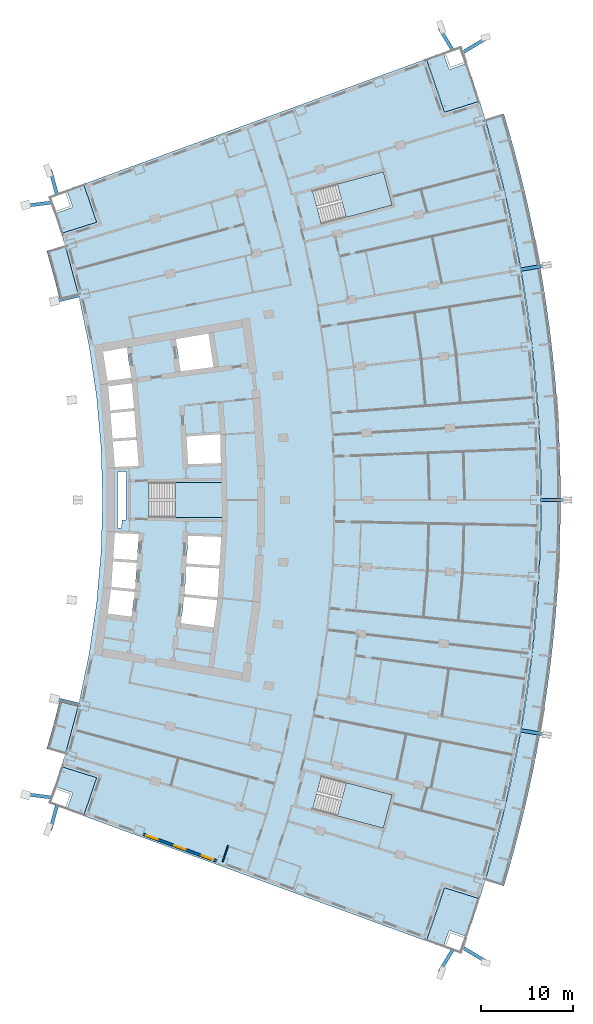
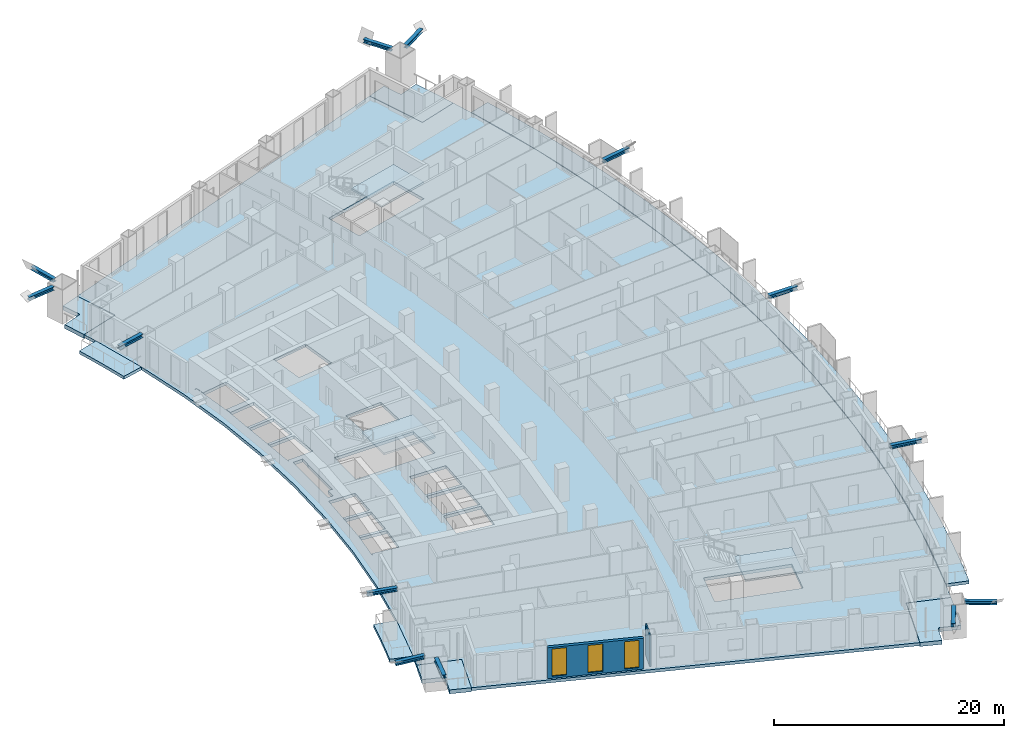
# One storey, part 9 of 22: 13 members, 11 slabs, 3 windows, 2 walls, 3 openings, 3 elements without a shape of their own.
"""IFC4 building model written with IfcOpenShell, lengths in metres."""

import ifcopenshell
import ifcopenshell.guid

model = None  # the IFC model being written
_history = None  # IfcOwnerHistory: only IFC2X3 demands one
_inside = {}  # id of a spatial element -> (the spatial element, [elements in it])
_under = {}  # id of a project, library or spatial element -> (it, [spatial elements below it])
_declared = {}  # id of a project -> (the project, [libraries it declares])
_typed = {}  # id of a type object -> (the type object, [elements of that type])
_made_of = {}  # id of a material, layer set ... -> (it, [elements and type objects made of it])


def new_model(schema):
    """Start an empty IFC model of exactly this schema.

    Asked for "IFC4X3", IfcOpenShell would pick the latest addendum, in which some entities
    have other attributes; the version numbers below select the first issue.
    IFC2X3 requires an IfcOwnerHistory on every rooted entity: one is made here for all.
    """
    global model, _history
    if schema == "IFC4X3":
        model = ifcopenshell.file(schema_version=(4, 3, 0, 0))
    else:
        model = ifcopenshell.file(schema=schema)
    _inside.clear()
    _under.clear()
    _declared.clear()
    _typed.clear()
    _made_of.clear()
    _history = None
    if model.schema == "IFC2X3":
        org = make("IfcOrganization", Name="unknown")
        user = make(
            "IfcPersonAndOrganization",
            ThePerson=make("IfcPerson", FamilyName="unknown"),
            TheOrganization=org,
        )
        app = make(
            "IfcApplication",
            ApplicationDeveloper=org,
            Version="unknown",
            ApplicationFullName="unknown",
            ApplicationIdentifier="unknown",
        )
        _history = make(
            "IfcOwnerHistory",
            OwningUser=user,
            OwningApplication=app,
            ChangeAction="ADDED",
            CreationDate=0,
        )
    return model


def make(cls, **values):
    """One entity of the class cls with the attributes given. An attribute that is None is left unset."""
    return model.create_entity(
        cls, **{name: value for name, value in values.items() if value is not None}
    )


def rooted(cls, **values):
    """An entity with a GlobalId (a new one), such as an element, a storey or a relation."""
    return make(cls, GlobalId=ifcopenshell.guid.new(), OwnerHistory=_history, **values)


def si_unit(unit_type, name, prefix=None):
    """IfcSIUnit, for example si_unit("LENGTHUNIT", "METRE", prefix="MILLI")."""
    return make("IfcSIUnit", UnitType=unit_type, Prefix=prefix, Name=name)


def assignment(units):
    """IfcUnitAssignment: the units of a project."""
    return None if units is None else make("IfcUnitAssignment", Units=units)


def point(xyz):
    """IfcCartesianPoint."""
    return None if xyz is None else make("IfcCartesianPoint", Coordinates=xyz)


def direction(xyz):
    """IfcDirection."""
    return None if xyz is None else make("IfcDirection", DirectionRatios=xyz)


def frame(location, z_axis=None, x_axis=None):
    """IfcAxis2Placement3D, a coordinate frame: its origin and axes. An axis left out is left unset."""
    return make(
        "IfcAxis2Placement3D",
        Location=point(location),
        Axis=direction(z_axis),
        RefDirection=direction(x_axis),
    )


def frame_2d(location, x_axis=None):
    """IfcAxis2Placement2D, a coordinate frame in the plane: its origin and x axis."""
    return make(
        "IfcAxis2Placement2D", Location=point(location), RefDirection=direction(x_axis)
    )


def origin():
    """The frame at (0, 0, 0) with its axes left unset."""
    return frame((0.0, 0.0, 0.0))


def origin_2d():
    """The frame at (0, 0) in the plane with its x axis left unset."""
    return frame_2d((0.0, 0.0))


def place(relative_to, where):
    """IfcLocalPlacement: puts the frame where relative to a parent placement (None: the world)."""
    return make(
        "IfcLocalPlacement", PlacementRelTo=relative_to, RelativePlacement=where
    )


def context(
    kind, dimensions, precision=None, world=None, true_north=None, identifier=None
):
    """IfcGeometricRepresentationContext, for example the 3D "Model" context."""
    return make(
        "IfcGeometricRepresentationContext",
        ContextIdentifier=identifier,
        ContextType=kind,
        CoordinateSpaceDimension=dimensions,
        Precision=precision,
        WorldCoordinateSystem=world,
        TrueNorth=true_north,
    )


def subcontext(parent, identifier, kind, view, scale=None):
    """IfcGeometricRepresentationSubContext, for example "Body" below "Model"."""
    return make(
        "IfcGeometricRepresentationSubContext",
        ContextIdentifier=identifier,
        ContextType=kind,
        ParentContext=parent,
        TargetScale=scale,
        TargetView=view,
    )


def project(units=None, contexts=None):
    """IfcProject with its units and contexts."""
    return rooted(
        "IfcProject",
        Name="project",
        RepresentationContexts=contexts,
        UnitsInContext=assignment(units),
    )


def spatial(cls, under=None, at=None, **own):
    """A site, building, storey or space (cls), placed at a placement, below another one or the project."""
    s = rooted(cls, ObjectPlacement=at, **own)
    if under is not None:
        _under.setdefault(under.id(), (under, []))[1].append(s)
    return s


def polyline(points):
    """IfcPolyline through the points."""
    return make("IfcPolyline", Points=[point(p) for p in points])


def profile(cls, at=None, kind="AREA", **sizes):
    """A parametric profile (cls). Its sizes go by their IFC names, for example OverallWidth=200.0."""
    return make(cls, ProfileType=kind, Position=at, **sizes)


def rectangle(**sizes):
    """IfcRectangleProfileDef."""
    return profile("IfcRectangleProfileDef", **sizes)


def i_section(**sizes):
    """IfcIShapeProfileDef."""
    return profile("IfcIShapeProfileDef", **sizes)


def outline(outer, holes=None, kind="AREA"):
    """IfcArbitraryClosedProfileDef: a profile drawn as a closed curve; with holes, ...WithVoids."""
    if holes is None:
        return make("IfcArbitraryClosedProfileDef", ProfileType=kind, OuterCurve=outer)
    return make(
        "IfcArbitraryProfileDefWithVoids",
        ProfileType=kind,
        OuterCurve=outer,
        InnerCurves=holes,
    )


def extrude(swept, where, along, depth):
    """IfcExtrudedAreaSolid: the profile swept, set in the frame where, extruded along a direction by depth."""
    return make(
        "IfcExtrudedAreaSolid",
        SweptArea=swept,
        Position=where,
        ExtrudedDirection=direction(along),
        Depth=depth,
    )


def shape(context_of_items, identifier, shape_type, items):
    """IfcShapeRepresentation: the items that make up one representation, for example the "Body"."""
    return make(
        "IfcShapeRepresentation",
        ContextOfItems=context_of_items,
        RepresentationIdentifier=identifier,
        RepresentationType=shape_type,
        Items=items,
    )


def material(Name=None, Category=None):
    """IfcMaterial."""
    return make("IfcMaterial", Name=Name, Category=Category)


def layer(
    of_material, thickness, ventilated=None, Name=None, Category=None, Priority=None
):
    """IfcMaterialLayer: one layer of a wall or slab, of a material (None: an air gap)."""
    return make(
        "IfcMaterialLayer",
        Material=of_material,
        LayerThickness=thickness,
        IsVentilated=ventilated,
        Name=Name,
        Category=Category,
        Priority=Priority,
    )


def layer_set(layers, Name=None):
    """IfcMaterialLayerSet."""
    return make("IfcMaterialLayerSet", MaterialLayers=layers, LayerSetName=Name)


def material_profile(
    of_material, cross_section, Name=None, Category=None, Priority=None
):
    """IfcMaterialProfile: a cross section and its material."""
    return make(
        "IfcMaterialProfile",
        Name=Name,
        Material=of_material,
        Profile=cross_section,
        Priority=Priority,
        Category=Category,
    )


def profile_set(profiles, Name=None, composite=None):
    """IfcMaterialProfileSet."""
    return make(
        "IfcMaterialProfileSet",
        Name=Name,
        MaterialProfiles=profiles,
        CompositeProfile=composite,
    )


def made_of(thing, what):
    """Note that an element or type object is made of a material, layer set ...; save() writes the relation."""
    if what is not None:
        _made_of.setdefault(what.id(), (what, []))[1].append(thing)
    return thing


def type_object(cls, material=None, **own):
    """A type object (cls), such as IfcWallType, which elements share."""
    return made_of(rooted(cls, **own), material)


def element(
    cls,
    number,
    at=None,
    inside=None,
    cuts=None,
    type_object=None,
    material=None,
    context=None,
    identifier="Body",
    shape_type=None,
    held_by="IfcProductDefinitionShape",
    body=None,
    shapes=None,
    **own,
):
    """One element of the class cls, such as IfcWall. Its Tag is "e" and its number.

    at: its placement. inside: the storey or other place that contains it. cuts: it is an
    opening in that element (IfcRelVoidsElement). A single representation is given by context,
    identifier, shape_type and body (its items); several are given by shapes. held_by: the class
    of the entity that holds the representations. save() writes the other relations.
    """
    e = rooted(cls, Tag="e%d" % number, ObjectPlacement=at, **own)
    if body is not None:
        shapes = [shape(context, identifier, shape_type, body)]
    if shapes is not None:
        e.Representation = make(held_by, Representations=shapes)
    if inside is not None:
        _inside.setdefault(inside.id(), (inside, []))[1].append(e)
    if cuts is not None:
        rooted(
            "IfcRelVoidsElement", RelatingBuildingElement=cuts, RelatedOpeningElement=e
        )
    if type_object is not None:
        _typed.setdefault(type_object.id(), (type_object, []))[1].append(e)
    return made_of(e, material)


def fill(opening, filler):
    """IfcRelFillsElement: the door or window that sits in an opening."""
    return rooted(
        "IfcRelFillsElement",
        RelatingOpeningElement=opening,
        RelatedBuildingElement=filler,
    )


def aggregate(whole, parts):
    """IfcRelAggregates: a whole, such as a stair, and the parts it consists of."""
    return rooted("IfcRelAggregates", RelatingObject=whole, RelatedObjects=parts)


def save(model, path):
    """Write the relations noted so far, then the file.

    IfcRelAggregates (storeys below a building ...), IfcRelContainedInSpatialStructure (elements
    in a storey), IfcRelDefinesByType, IfcRelAssociatesMaterial and IfcRelDeclares: one each for
    every whole, place, type object, material and project.
    """
    for whole, parts in _under.values():
        aggregate(whole, parts)
    for where, things in _inside.values():
        rooted(
            "IfcRelContainedInSpatialStructure",
            RelatedElements=things,
            RelatingStructure=where,
        )
    for kind, things in _typed.values():
        rooted("IfcRelDefinesByType", RelatedObjects=things, RelatingType=kind)
    for what, things in _made_of.values():
        rooted("IfcRelAssociatesMaterial", RelatedObjects=things, RelatingMaterial=what)
    for by, libraries in _declared.values():
        rooted("IfcRelDeclares", RelatingContext=by, RelatedDefinitions=libraries)
    model.write(path)


model = new_model("IFC4")

# Units and contexts
model_context = context("Model", 3, precision=1e-05, world=origin(), true_north=direction((0.0, 1.0)))
body_context = subcontext(model_context, "Body", "Model", "MODEL_VIEW")
ifc_project = project(units=[si_unit("LENGTHUNIT", "METRE"), si_unit("AREAUNIT", "SQUARE_METRE"), si_unit("VOLUMEUNIT", "CUBIC_METRE"), si_unit("PLANEANGLEUNIT", "RADIAN"), si_unit("MASSUNIT", "GRAM", prefix="KILO")], contexts=[model_context])

# Site, building, storey
site_placement = place(None, origin())
site = spatial("IfcSite", under=ifc_project, at=site_placement, CompositionType="ELEMENT")
building_placement = place(site_placement, origin())
building = spatial("IfcBuilding", under=site, at=building_placement, Name="Alderwake Tower", CompositionType="ELEMENT")
storey_placement = place(building_placement, frame((0.0, 0.0, 50.0)))
storey = spatial("IfcBuildingStorey", under=building, at=storey_placement, Name="L11", CompositionType="ELEMENT", Elevation=50.0)

# Members
ifc_material_1 = material(Name="Steel ASTM A992 Grade 50", Category="steel")
ifc_material_profile = material_profile(ifc_material_1, i_section(OverallWidth=0.3740234375, OverallDepth=0.372314453125, WebThickness=0.016357421875, FlangeThickness=0.026123046875, at=origin_2d()), Name="W14X132")
ifc_profile_set = profile_set([ifc_material_profile], Name="Steel ASTM A992 Grade 50")
member_type = type_object("IfcMemberType", Name="Brace node stub W14X132", PredefinedType="MEMBER", material=ifc_profile_set)
member_1_placement = place(storey_placement, frame((61.357421875, 36.006591796875, 3.393798828125), z_axis=(0.984740174713, -0.174030998121, 0.0), x_axis=(0.174030998121, 0.984740174713, 0.0)))
element("IfcMember", 1, at=member_1_placement, inside=storey, type_object=member_type, Name="Brace node stub BS.FR04-C5.536", PredefinedType="MEMBER", context=body_context, shape_type="SweptSolid", body=[
    extrude(i_section(OverallWidth=0.3740234375, OverallDepth=0.372314453125, WebThickness=0.016357421875, FlangeThickness=0.026123046875, at=origin_2d()), origin(), (0.0, 0.0, 1.0), 2.891357421875),
])
member_2_placement = place(storey_placement, frame((55.170654296875, 12.3720703125, 3.393798828125), z_axis=(0.855769098915, -0.517357950883, 0.0), x_axis=(0.517357950883, 0.855769098915, 0.0)))
element("IfcMember", 2, at=member_2_placement, inside=storey, type_object=member_type, Name="Brace node stub BS.FR01-C5.536", PredefinedType="MEMBER", context=body_context, shape_type="SweptSolid", body=[
    extrude(i_section(OverallWidth=0.3740234375, OverallDepth=0.372314453125, WebThickness=0.016357421875, FlangeThickness=0.026123046875, at=origin_2d()), origin(), (0.0, 0.0, 1.0), 2.8447265625),
])
for number, where, z_axis, x_axis, name in (
    (3, (63.550048828125, 61.0, 3.393798828125), (1.0, 0.0, 0.0), (0.0, 1.0, 0.0), "Brace node stub BS.FR07-C5.536"),
    (4, (61.357421875, 85.993408203125, 3.393798828125), (0.984740174713, 0.174030998121, 0.0), (-0.174030998121, 0.984740174713, 0.0), "Brace node stub BS.FR10-C5.536"),
):
    element("IfcMember", number, at=place(storey_placement, frame(where, z_axis=z_axis, x_axis=x_axis)), inside=storey, type_object=member_type, Name=name, PredefinedType="MEMBER", context=body_context, shape_type="SweptSolid", body=[
        extrude(i_section(OverallWidth=0.3740234375, OverallDepth=0.372314453125, WebThickness=0.016357421875, FlangeThickness=0.026123046875, at=origin_2d()), origin(), (0.0, 0.0, 1.0), 2.891357421875),
    ])
member_3_placement = place(storey_placement, frame((55.170654296875, 109.6279296875, 3.393798828125), z_axis=(0.855769098915, 0.517357950883, 0.0), x_axis=(-0.517357950883, 0.855769098915, 0.0)))
element("IfcMember", 5, at=member_3_placement, inside=storey, type_object=member_type, Name="Brace node stub BS.FR13-C5.536", PredefinedType="MEMBER", context=body_context, shape_type="SweptSolid", body=[
    extrude(i_section(OverallWidth=0.3740234375, OverallDepth=0.372314453125, WebThickness=0.016357421875, FlangeThickness=0.026123046875, at=origin_2d()), origin(), (0.0, 0.0, 1.0), 2.8447265625),
])
member_4_placement = place(storey_placement, frame((13.447021484375, 38.791259765625, 3.393798828125), z_axis=(-0.972904140825, 0.231208850969, 0.0), x_axis=(-0.231208850969, -0.972904140825, 0.0)))
element("IfcMember", 6, at=member_4_placement, inside=storey, type_object=member_type, Name="Brace node stub BS.RR03-C0.536", PredefinedType="MEMBER", context=body_context, shape_type="SweptSolid", body=[
    extrude(i_section(OverallWidth=0.3740234375, OverallDepth=0.372314453125, WebThickness=0.016357421875, FlangeThickness=0.026123046875, at=origin_2d()), origin(), (0.0, 0.0, 1.0), 2.7529296875),
])
member_5_placement = place(storey_placement, frame((10.357421875, 28.724365234375, 3.393798828125), z_axis=(-0.992474125995, 0.122454519028, 0.0), x_axis=(-0.122454519028, -0.992474125995, 0.0)))
element("IfcMember", 7, at=member_5_placement, inside=storey, type_object=member_type, Name="Brace node stub BS.RR01-C0.536", PredefinedType="MEMBER", context=body_context, shape_type="SweptSolid", body=[
    extrude(i_section(OverallWidth=0.3740234375, OverallDepth=0.372314453125, WebThickness=0.016357421875, FlangeThickness=0.026123046875, at=origin_2d()), origin(), (0.0, 0.0, 1.0), 2.719482421875),
])
member_6_placement = place(storey_placement, frame((13.447021484375, 83.208740234375, 3.393798828125), z_axis=(-0.972904140825, -0.231208850969, 0.0), x_axis=(0.231208850969, -0.972904140825, 0.0)))
element("IfcMember", 8, at=member_6_placement, inside=storey, type_object=member_type, Name="Brace node stub BS.RR11-C0.536", PredefinedType="MEMBER", context=body_context, shape_type="SweptSolid", body=[
    extrude(i_section(OverallWidth=0.3740234375, OverallDepth=0.372314453125, WebThickness=0.016357421875, FlangeThickness=0.026123046875, at=origin_2d()), origin(), (0.0, 0.0, 1.0), 2.7529296875),
])
member_7_placement = place(storey_placement, frame((10.357421875, 93.275634765625, 3.393798828125), z_axis=(-0.992474125995, -0.122454519028, 0.0), x_axis=(0.122454519028, -0.992474125995, 0.0)))
element("IfcMember", 9, at=member_7_placement, inside=storey, type_object=member_type, Name="Brace node stub BS.RR13-C0.536", PredefinedType="MEMBER", context=body_context, shape_type="SweptSolid", body=[
    extrude(i_section(OverallWidth=0.3740234375, OverallDepth=0.372314453125, WebThickness=0.016357421875, FlangeThickness=0.026123046875, at=origin_2d()), origin(), (0.0, 0.0, 1.0), 2.719482421875),
])
member_8_placement = place(storey_placement, frame((53.973876953125, 12.14599609375, 3.393798828125), z_axis=(-0.511668054567, -0.859183217908, 0.0), x_axis=(0.859183217908, -0.511668054567, 0.0)))
element("IfcMember", 10, at=member_8_placement, inside=storey, type_object=member_type, Name="Brace node stub BS.SR01-C5.536", PredefinedType="MEMBER", context=body_context, shape_type="SweptSolid", body=[
    extrude(i_section(OverallWidth=0.3740234375, OverallDepth=0.372314453125, WebThickness=0.016357421875, FlangeThickness=0.026123046875, at=origin_2d()), origin(), (0.0, 0.0, 1.0), 2.796142578125),
])
member_9_placement = place(storey_placement, frame((11.040283203125, 27.823974609375, 3.393798828125), z_axis=(-0.265719380201, -0.964050419317, 0.0), x_axis=(0.964050419317, -0.265719380201, 0.0)))
element("IfcMember", 11, at=member_9_placement, inside=storey, type_object=member_type, Name="Brace node stub BS.SR01-C0.536", PredefinedType="MEMBER", context=body_context, shape_type="SweptSolid", body=[
    extrude(i_section(OverallWidth=0.3740234375, OverallDepth=0.372314453125, WebThickness=0.016357421875, FlangeThickness=0.026123046875, at=origin_2d()), origin(), (0.0, 0.0, 1.0), 2.761962890625),
])
member_10_placement = place(storey_placement, frame((53.973876953125, 109.85400390625, 3.393798828125), z_axis=(-0.511668054567, 0.859183217908, 0.0), x_axis=(-0.859183217908, -0.511668054567, 0.0)))
element("IfcMember", 12, at=member_10_placement, inside=storey, type_object=member_type, Name="Brace node stub BS.NR13-C5.536", PredefinedType="MEMBER", context=body_context, shape_type="SweptSolid", body=[
    extrude(i_section(OverallWidth=0.3740234375, OverallDepth=0.372314453125, WebThickness=0.016357421875, FlangeThickness=0.026123046875, at=origin_2d()), origin(), (0.0, 0.0, 1.0), 2.796142578125),
])
member_11_placement = place(storey_placement, frame((11.040283203125, 94.176025390625, 3.393798828125), z_axis=(-0.265719380201, 0.964050419317, 0.0), x_axis=(-0.964050419317, -0.265719380201, 0.0)))
element("IfcMember", 13, at=member_11_placement, inside=storey, type_object=member_type, Name="Brace node stub BS.NR13-C0.536", PredefinedType="MEMBER", context=body_context, shape_type="SweptSolid", body=[
    extrude(i_section(OverallWidth=0.3740234375, OverallDepth=0.372314453125, WebThickness=0.016357421875, FlangeThickness=0.026123046875, at=origin_2d()), origin(), (0.0, 0.0, 1.0), 2.761962890625),
])

# Slabs
ifc_material_2 = material(Name="Concrete C50/60", Category="concrete")
ifc_layer_1 = layer(ifc_material_2, 0.320068359375)
ifc_layer_set_1 = layer_set([ifc_layer_1], Name="Balcony slab 320")
slab_type_1 = type_object("IfcSlabType", Name="Balcony slab 320", PredefinedType="FLOOR", material=ifc_layer_set_1)
slab_1_placement = place(storey_placement, frame((0.0, 0.0, -0.320068359375)))
element("IfcSlab", 14, at=slab_1_placement, inside=storey, type_object=slab_type_1, Name="Balcony BF02", PredefinedType="FLOOR", context=body_context, shape_type="SweptSolid", body=[
    extrude(outline(polyline([(59.54638671875, 19.10400390625), (60.142578125, 21.1435546875), (60.708984375, 23.19140625), (61.245361328125, 25.247314453125), (61.751708984375, 27.31103515625), (62.227783203125, 29.381591796875), (62.673828125, 31.458984375), (63.089599609375, 33.54296875), (63.474609375, 35.63232421875), (63.829345703125, 37.727294921875), (64.1533203125, 39.827392578125), (64.44677734375, 41.931640625), (64.709716796875, 44.040283203125), (64.94140625, 46.15234375), (65.142578125, 48.267578125), (65.312744140625, 50.385498046875), (65.4521484375, 52.505615234375), (65.560546875, 54.627685546875), (65.637939453125, 56.7509765625), (65.6845703125, 58.875244140625), (65.699951171875, 61.0), (65.6845703125, 63.124755859375), (65.637939453125, 65.2490234375), (65.560546875, 67.372314453125), (65.4521484375, 69.494384765625), (65.312744140625, 71.614501953125), (65.142578125, 73.732421875), (64.94140625, 75.84765625), (64.709716796875, 77.959716796875), (64.44677734375, 80.068359375), (64.1533203125, 82.172607421875), (63.829345703125, 84.272705078125), (63.474609375, 86.36767578125), (63.089599609375, 88.45703125), (62.673828125, 90.541015625), (62.227783203125, 92.618408203125), (61.751708984375, 94.68896484375), (61.245361328125, 96.752685546875), (60.708984375, 98.80859375), (60.142578125, 100.8564453125), (59.54638671875, 102.89599609375), (57.53515625, 102.2919921875), (58.122802734375, 100.281982421875), (58.680908203125, 98.263671875), (59.20947265625, 96.2373046875), (59.70849609375, 94.20361328125), (60.177978515625, 92.16259765625), (60.617431640625, 90.114990234375), (61.027099609375, 88.061279296875), (61.40673828125, 86.001953125), (61.75634765625, 83.937255859375), (62.07568359375, 81.867431640625), (62.364990234375, 79.79345703125), (62.623779296875, 77.71533203125), (62.852294921875, 75.6337890625), (63.050537109375, 73.549072265625), (63.218505859375, 71.461669921875), (63.355712890625, 69.371826171875), (63.462646484375, 67.280517578125), (63.538818359375, 65.187744140625), (63.584716796875, 63.093994140625), (63.60009765625, 61.0), (63.584716796875, 58.906005859375), (63.538818359375, 56.812255859375), (63.462646484375, 54.719482421875), (63.355712890625, 52.628173828125), (63.218505859375, 50.538330078125), (63.050537109375, 48.450927734375), (62.852294921875, 46.3662109375), (62.623779296875, 44.28466796875), (62.364990234375, 42.20654296875), (62.07568359375, 40.132568359375), (61.75634765625, 38.062744140625), (61.40673828125, 35.998046875), (61.027099609375, 33.938720703125), (60.617431640625, 31.885009765625), (60.177978515625, 29.83740234375), (59.70849609375, 27.79638671875), (59.20947265625, 25.7626953125), (58.680908203125, 23.736328125), (58.122802734375, 21.718017578125), (57.53515625, 19.7080078125), (59.54638671875, 19.10400390625)])), origin(), (0.0, 0.0, 1.0), 0.320068359375),
])
slab_2_placement = place(storey_placement, frame((0.0, 0.0, -0.320068359375)))
element("IfcSlab", 15, at=slab_2_placement, inside=storey, type_object=slab_type_1, Name="Balcony BR02", PredefinedType="FLOOR", context=body_context, shape_type="SweptSolid", body=[
    extrude(outline(polyline([(9.93408203125, 33.999267578125), (11.945556640625, 33.395263671875), (13.3984375, 38.802734375), (11.35546875, 39.288330078125), (11.029052734375, 37.95849609375), (10.683349609375, 36.63330078125), (10.318359375, 35.3134765625), (9.93408203125, 33.999267578125)])), origin(), (0.0, 0.0, 1.0), 0.320068359375),
])
slab_3_placement = place(storey_placement, frame((0.0, 0.0, -0.320068359375)))
element("IfcSlab", 16, at=slab_3_placement, inside=storey, type_object=slab_type_1, Name="Balcony BR11", PredefinedType="FLOOR", context=body_context, shape_type="SweptSolid", body=[
    extrude(outline(polyline([(11.35546875, 82.711669921875), (13.3984375, 83.197265625), (11.945556640625, 88.604736328125), (9.93408203125, 88.000732421875), (10.318359375, 86.6865234375), (10.683349609375, 85.36669921875), (11.029052734375, 84.04150390625), (11.35546875, 82.711669921875)])), origin(), (0.0, 0.0, 1.0), 0.320068359375),
])
ifc_material_3 = material(Name="Concrete C50/60", Category="concrete")
ifc_layer_2 = layer(ifc_material_3, 0.320068359375)
ifc_layer_set_2 = layer_set([ifc_layer_2], Name="Concrete C50/60 post-tensioned flat plate 320")
slab_type_2 = type_object("IfcSlabType", Name="Concrete C50/60 post-tensioned flat plate 320", PredefinedType="FLOOR", material=ifc_layer_set_2)
slab_4_placement = place(storey_placement, frame((0.0, 0.0, -0.320068359375)))
element("IfcSlab", 17, at=slab_4_placement, inside=storey, type_object=slab_type_2, Name="Floor slab L11", PredefinedType="FLOOR", context=body_context, shape_type="SweptSolid", body=[
    extrude(outline(polyline([(11.533203125, 32.057373046875), (11.945556640625, 33.395263671875), (13.3984375, 38.802734375), (14.53369140625, 44.28564453125), (15.347412109375, 49.825439453125), (15.836669921875, 55.4033203125), (16.0, 61.0), (15.836669921875, 66.5966796875), (15.347412109375, 72.174560546875), (14.53369140625, 77.71435546875), (13.3984375, 83.197265625), (11.945556640625, 88.604736328125), (11.533203125, 89.942626953125), (15.34716796875, 91.1484375), (13.937255859375, 95.289794921875), (51.136474609375, 108.868408203125), (53.1044921875, 103.08740234375), (56.91845703125, 104.293212890625), (57.53515625, 102.2919921875), (59.70849609375, 94.20361328125), (61.40673828125, 86.001953125), (62.623779296875, 77.71533203125), (63.355712890625, 69.371826171875), (63.60009765625, 61.0), (63.355712890625, 52.628173828125), (62.623779296875, 44.28466796875), (61.40673828125, 35.998046875), (59.70849609375, 27.79638671875), (57.53515625, 19.7080078125), (56.91845703125, 17.706787109375), (53.1044921875, 18.91259765625), (51.136474609375, 13.131591796875), (13.937255859375, 26.710205078125), (15.34716796875, 30.8515625), (11.533203125, 32.057373046875)]), holes=[polyline([(16.943359375, 51.26953125), (16.9580078125, 51.4189453125), (16.972900390625, 51.568115234375), (19.525146484375, 51.31591796875), (19.71630859375, 54.164794921875), (17.153564453125, 54.33642578125), (17.16357421875, 54.486083984375), (17.173583984375, 54.6357421875), (19.736083984375, 54.464111328125), (19.92724609375, 57.312744140625), (17.364013671875, 57.403564453125), (17.369140625, 57.553466796875), (17.33935546875, 57.554443359375), (17.1337890625, 54.48828125), (16.927978515625, 51.421875), (16.92822265625, 51.421875), (16.50927734375, 48.377197265625), (16.5390625, 48.373291015625), (16.577880859375, 48.6708984375), (19.138671875, 48.3359375), (19.495361328125, 51.017333984375), (16.943359375, 51.26953125)]), polyline([(29.0, 62.875), (21.050048828125, 62.875), (21.050048828125, 59.125), (29.0, 59.125), (29.0, 62.875)]), polyline([(19.688720703125, 67.53271484375), (17.12548828125, 67.361083984375), (17.115478515625, 67.510498046875), (17.10546875, 67.660400390625), (19.6640625, 67.831787109375), (19.42822265625, 70.674560546875), (16.87646484375, 70.42236328125), (16.86181640625, 70.571533203125), (16.846923828125, 70.720947265625), (19.403564453125, 70.973388671875), (19.179931640625, 73.66943359375), (16.646484375, 73.338134765625), (16.607666015625, 73.635498046875), (16.56884765625, 73.93310546875), (19.111083984375, 74.265625), (18.6240234375, 77.531982421875), (18.919921875, 77.575927734375), (18.916748046875, 77.593994140625), (16.082275390625, 77.10546875), (15.9345703125, 77.9619140625), (15.634765625, 77.908935546875), (15.63525390625, 77.9052734375), (15.9140625, 77.9482421875), (16.57763671875, 73.631591796875), (16.578369140625, 73.626220703125), (16.831787109375, 70.568603515625), (17.085693359375, 67.508544921875), (17.33935546875, 64.4482421875), (17.33935546875, 64.445556640625), (17.369384765625, 64.446533203125), (17.364013671875, 64.596435546875), (19.9248046875, 64.687255859375), (19.688720703125, 67.53271484375)]), polyline([(47.436279296875, 28.996826171875), (39.754150390625, 31.043212890625), (38.7890625, 27.41943359375), (46.47119140625, 25.373291015625), (47.436279296875, 28.996826171875)]), polyline([(28.05419921875, 47.169921875), (28.4482421875, 50.1328125), (24.87451171875, 50.48583984375), (24.878662109375, 50.52783203125), (24.875, 50.5283203125), (24.48974609375, 47.635986328125), (28.05419921875, 47.169921875)]), polyline([(25.080810546875, 53.804931640625), (24.89501953125, 50.731201171875), (24.898681640625, 50.730712890625), (24.904052734375, 50.784423828125), (28.484375, 50.4306640625), (28.669921875, 53.564453125), (25.080810546875, 53.804931640625)]), polyline([(28.873291015625, 56.99609375), (25.281494140625, 57.123291015625), (25.09912109375, 54.1044921875), (28.687744140625, 53.864013671875), (28.873291015625, 56.99609375)]), polyline([(28.769287109375, 68.0869140625), (28.764892578125, 68.141357421875), (25.101318359375, 67.895751953125), (25.2822265625, 64.876708984375), (28.83740234375, 65.002685546875), (28.769287109375, 68.0869140625)]), polyline([(27.490966796875, 79.072021484375), (23.932373046875, 78.45849609375), (23.93310546875, 78.454833984375), (23.9443359375, 78.45654296875), (24.4697265625, 74.972412109375), (24.36474609375, 74.95654296875), (24.365478515625, 74.952880859375), (28.0400390625, 75.433349609375), (27.490966796875, 79.072021484375)]), polyline([(46.47119140625, 96.626708984375), (38.7890625, 94.58056640625), (39.754150390625, 90.956787109375), (47.436279296875, 93.003173828125), (46.47119140625, 96.626708984375)]), polyline([(17.58935546875, 64.05419921875), (17.58935546875, 57.94580078125), (18.065673828125, 57.928955078125), (18.090576171875, 58.84326171875), (18.544189453125, 58.8310546875), (18.529296875, 58.8681640625), (18.5234375, 58.89208984375), (18.5185546875, 58.94091796875), (18.5185546875, 63.060302734375), (18.5234375, 63.109130859375), (18.53759765625, 63.156005859375), (18.560791015625, 63.19921875), (18.588623046875, 63.233642578125), (18.565185546875, 64.088623046875), (17.58935546875, 64.05419921875)])]), origin(), (0.0, 0.0, 1.0), 0.320068359375),
])

# Stair, slab
ifc_material_4 = material(Name="Concrete C40/50", Category="concrete")
stair_type = type_object("IfcStairType", Name="Core exit stair", PredefinedType="HALF_TURN_STAIR", material=ifc_material_4)
stair_1_placement = place(storey_placement, origin())
stair_1 = element("IfcStair", 18, at=stair_1_placement, inside=storey, type_object=stair_type, Name="L11 Exit Stair B", PredefinedType="HALF_TURN_STAIR")
ifc_material_5 = material(Name="Concrete C40/50", Category="concrete")
ifc_layer_3 = layer(ifc_material_5, 0.199951171875)
ifc_layer_set_3 = layer_set([ifc_layer_3], Name="Core stair landing 200")
slab_type_3 = type_object("IfcSlabType", Name="Core stair landing 200", PredefinedType="LANDING", material=ifc_layer_set_3)
slab_5_placement = place(storey_placement, frame((0.0, 0.0, 1.60009765625)))
slab_5 = element("IfcSlab", 19, at=slab_5_placement, type_object=slab_type_3, Name="ST-B landing 1", PredefinedType="LANDING", context=body_context, shape_type="SweptSolid", body=[
    extrude(outline(polyline([(23.830078125, 59.074951171875), (29.0, 59.074951171875), (29.0, 62.925048828125), (23.830078125, 62.925048828125), (23.830078125, 59.074951171875)])), origin(), (0.0, 0.0, 1.0), 0.199951171875),
])
aggregate(stair_1, [slab_5])

stair_2_placement = place(storey_placement, origin())
stair_2 = element("IfcStair", 20, at=stair_2_placement, inside=storey, type_object=stair_type, Name="L11 Exit Stair A", PredefinedType="HALF_TURN_STAIR")
slab_6_placement = place(storey_placement, frame((0.0, 0.0, 1.60009765625)))
slab_6 = element("IfcSlab", 21, at=slab_6_placement, type_object=slab_type_3, Name="ST-A landing 1", PredefinedType="LANDING", context=body_context, shape_type="SweptSolid", body=[
    extrude(outline(polyline([(42.440673828125, 91.67236328125), (47.436279296875, 93.003173828125), (46.47119140625, 96.626708984375), (41.475341796875, 95.296142578125), (42.440673828125, 91.67236328125)])), origin(), (0.0, 0.0, 1.0), 0.199951171875),
])
aggregate(stair_2, [slab_6])

stair_3_placement = place(storey_placement, origin())
stair_3 = element("IfcStair", 22, at=stair_3_placement, inside=storey, type_object=stair_type, Name="L11 Exit Stair C", PredefinedType="HALF_TURN_STAIR")
slab_7_placement = place(storey_placement, frame((0.0, 0.0, 1.60009765625)))
slab_7 = element("IfcSlab", 23, at=slab_7_placement, type_object=slab_type_3, Name="ST-C landing 1", PredefinedType="LANDING", context=body_context, shape_type="SweptSolid", body=[
    extrude(outline(polyline([(41.475341796875, 26.703857421875), (46.47119140625, 25.373291015625), (47.436279296875, 28.996826171875), (42.4404296875, 30.32763671875), (41.475341796875, 26.703857421875)])), origin(), (0.0, 0.0, 1.0), 0.199951171875),
])
aggregate(stair_3, [slab_7])

# Slabs
ifc_material_6 = material(Name="Concrete C50/60", Category="concrete")
ifc_layer_4 = layer(ifc_material_6, 0.419921875)
ifc_layer_set_4 = layer_set([ifc_layer_4], Name="Terrace slab 420")
slab_type_4 = type_object("IfcSlabType", Name="Terrace slab 420", PredefinedType="FLOOR", material=ifc_layer_set_4)
slab_8_placement = place(storey_placement, frame((0.0, 0.0, -0.419921875)))
element("IfcSlab", 24, at=slab_8_placement, inside=storey, type_object=slab_type_4, Name="Corner terrace FS", PredefinedType="FLOOR", context=body_context, shape_type="SweptSolid", body=[
    extrude(outline(polyline([(55.59765625, 13.732177734375), (55.55029296875, 13.60009765625), (53.76611328125, 14.23876953125), (53.751953125, 14.242919921875), (53.737548828125, 14.245849609375), (53.722900390625, 14.247314453125), (53.708251953125, 14.247314453125), (53.693603515625, 14.245849609375), (53.67919921875, 14.242919921875), (53.6650390625, 14.23876953125), (53.6513671875, 14.23291015625), (53.638427734375, 14.22607421875), (53.626220703125, 14.218017578125), (53.61474609375, 14.20849609375), (53.6044921875, 14.1982421875), (53.59521484375, 14.186767578125), (53.5869140625, 14.174560546875), (53.580078125, 14.16162109375), (53.57421875, 14.14794921875), (52.970947265625, 12.4619140625), (51.136474609375, 13.131591796875), (51.820556640625, 15.048828125), (52.4765625, 16.97607421875), (53.1044921875, 18.91259765625), (56.91845703125, 17.706787109375), (56.2724609375, 15.714599609375), (55.59765625, 13.732177734375)])), origin(), (0.0, 0.0, 1.0), 0.419921875),
])
slab_9_placement = place(storey_placement, frame((0.0, 0.0, -0.419921875)))
element("IfcSlab", 25, at=slab_9_placement, inside=storey, type_object=slab_type_4, Name="Corner terrace RS", PredefinedType="FLOOR", context=body_context, shape_type="SweptSolid", body=[
    extrude(outline(polyline([(13.937255859375, 26.710205078125), (12.10888671875, 27.377685546875), (12.114013671875, 27.39013671875), (12.71533203125, 29.086669921875), (12.7197265625, 29.100830078125), (12.722412109375, 29.115234375), (12.723876953125, 29.1298828125), (12.723876953125, 29.14453125), (12.722412109375, 29.1591796875), (12.719482421875, 29.173583984375), (12.715087890625, 29.187744140625), (12.70947265625, 29.201416015625), (12.702392578125, 29.21435546875), (12.6943359375, 29.2265625), (12.684814453125, 29.23779296875), (12.674560546875, 29.248291015625), (12.6630859375, 29.257568359375), (12.65087890625, 29.265625), (12.6376953125, 29.272705078125), (12.624267578125, 29.2783203125), (10.82568359375, 29.915771484375), (11.101318359375, 30.7255859375), (11.533203125, 32.057373046875), (15.34716796875, 30.8515625), (13.937255859375, 26.710205078125)])), origin(), (0.0, 0.0, 1.0), 0.419921875),
])
slab_10_placement = place(storey_placement, frame((0.0, 0.0, -0.419921875)))
element("IfcSlab", 26, at=slab_10_placement, inside=storey, type_object=slab_type_4, Name="Corner terrace FN", PredefinedType="FLOOR", context=body_context, shape_type="SweptSolid", body=[
    extrude(outline(polyline([(55.59765625, 108.267822265625), (56.2724609375, 106.285400390625), (56.91845703125, 104.293212890625), (53.1044921875, 103.08740234375), (52.4765625, 105.02392578125), (51.820556640625, 106.951171875), (51.136474609375, 108.868408203125), (52.970947265625, 109.5380859375), (53.57421875, 107.85205078125), (53.580078125, 107.83837890625), (53.5869140625, 107.825439453125), (53.59521484375, 107.813232421875), (53.6044921875, 107.8017578125), (53.61474609375, 107.79150390625), (53.626220703125, 107.781982421875), (53.638427734375, 107.77392578125), (53.6513671875, 107.76708984375), (53.6650390625, 107.76123046875), (53.67919921875, 107.757080078125), (53.693603515625, 107.754150390625), (53.708251953125, 107.752685546875), (53.722900390625, 107.752685546875), (53.737548828125, 107.754150390625), (53.751953125, 107.757080078125), (53.76611328125, 107.76123046875), (55.55029296875, 108.39990234375), (55.59765625, 108.267822265625)])), origin(), (0.0, 0.0, 1.0), 0.419921875),
])
slab_11_placement = place(storey_placement, frame((0.0, 0.0, -0.419921875)))
element("IfcSlab", 27, at=slab_11_placement, inside=storey, type_object=slab_type_4, Name="Corner terrace RN", PredefinedType="FLOOR", context=body_context, shape_type="SweptSolid", body=[
    extrude(outline(polyline([(10.82568359375, 92.084228515625), (12.624267578125, 92.7216796875), (12.6376953125, 92.727294921875), (12.65087890625, 92.734375), (12.6630859375, 92.742431640625), (12.674560546875, 92.751708984375), (12.684814453125, 92.76220703125), (12.6943359375, 92.7734375), (12.702392578125, 92.78564453125), (12.70947265625, 92.798583984375), (12.715087890625, 92.812255859375), (12.719482421875, 92.826416015625), (12.722412109375, 92.8408203125), (12.723876953125, 92.85546875), (12.723876953125, 92.8701171875), (12.722412109375, 92.884765625), (12.7197265625, 92.899169921875), (12.71533203125, 92.913330078125), (12.114013671875, 94.60986328125), (12.10888671875, 94.622314453125), (13.937255859375, 95.289794921875), (15.34716796875, 91.1484375), (11.533203125, 89.942626953125), (11.101318359375, 91.2744140625), (10.82568359375, 92.084228515625)])), origin(), (0.0, 0.0, 1.0), 0.419921875),
])

# Wall, openings, windows
ifc_material_7 = material(Name="Bronze metal cladding on lightweight framing")
ifc_layer_5 = layer(ifc_material_7, 0.300048828125)
ifc_layer_set_5 = layer_set([ifc_layer_5], Name="External wall EW2 bronze metal cladding")
wall_type_1 = type_object("IfcWallType", Name="External wall EW2 bronze metal cladding", PredefinedType="SOLIDWALL", material=ifc_layer_set_5)
wall_1_placement = place(storey_placement, frame((20.398681640625, 24.72412109375, 0.0), z_axis=(0.0, 0.0, 1.0), x_axis=(0.939369809957, -0.342905759856, 0.0)))
wall_1 = element("IfcWall", 28, at=wall_1_placement, inside=storey, type_object=wall_type_1, Name="External wall 5", PredefinedType="SOLIDWALL", context=body_context, shape_type="SweptSolid", body=[
    extrude(rectangle(XDim=8.495361328125, YDim=0.300048828125, at=frame_2d((4.24755859375, 0.0))), origin(), (0.0, 0.0, 1.0), 3.280029296875),
])
opening_1_placement = place(wall_1_placement, frame((0.3974609375, 0.0, 0.199951171875)))
opening_1 = element("IfcOpeningElement", 29, at=opening_1_placement, cuts=wall_1, Name="Opening W1", PredefinedType="OPENING", context=body_context, shape_type="SweptSolid", body=[
    extrude(rectangle(XDim=1.300048828125, YDim=2.89990234375, at=frame_2d((0.64990234375, 1.449951171875))), frame((0.0, 0.159912109375, 0.0), z_axis=(0.0, -1.0, 0.0), x_axis=(1.0, 0.0, 0.0)), (0.0, 0.0, 1.0), 0.320068359375),
])
opening_2_placement = place(wall_1_placement, frame((3.597412109375, 0.0, 0.199951171875)))
opening_2 = element("IfcOpeningElement", 30, at=opening_2_placement, cuts=wall_1, Name="Opening W1", PredefinedType="OPENING", context=body_context, shape_type="SweptSolid", body=[
    extrude(rectangle(XDim=1.300048828125, YDim=2.89990234375, at=frame_2d((0.64990234375, 1.449951171875))), frame((0.0, 0.159912109375, 0.0), z_axis=(0.0, -1.0, 0.0), x_axis=(1.0, 0.0, 0.0)), (0.0, 0.0, 1.0), 0.320068359375),
])
opening_3_placement = place(wall_1_placement, frame((6.797607421875, 0.0, 0.199951171875)))
opening_3 = element("IfcOpeningElement", 31, at=opening_3_placement, cuts=wall_1, Name="Opening W1", PredefinedType="OPENING", context=body_context, shape_type="SweptSolid", body=[
    extrude(rectangle(XDim=1.300048828125, YDim=2.89990234375, at=frame_2d((0.64990234375, 1.449951171875))), frame((0.0, 0.159912109375, 0.0), z_axis=(0.0, -1.0, 0.0), x_axis=(1.0, 0.0, 0.0)), (0.0, 0.0, 1.0), 0.320068359375),
])
ifc_material_8 = material(Name="Bronze tinted glass in aluminium frame", Category="aluminium")
window_type = type_object("IfcWindowType", Name="Window W1 tall fixed and vent", PartitioningType="DOUBLE_PANEL_VERTICAL", PredefinedType="WINDOW", material=ifc_material_8)
window_1_placement = place(opening_1_placement, origin())
window_1 = element("IfcWindow", 32, at=window_1_placement, inside=storey, type_object=window_type, Name="Window W1 tall fixed and vent", OverallHeight=2.89990234375, OverallWidth=1.300048828125, PartitioningType="DOUBLE_PANEL_VERTICAL", PredefinedType="WINDOW", context=body_context, shape_type="SweptSolid", body=[
    extrude(rectangle(XDim=1.300048828125, YDim=2.89990234375, at=frame_2d((0.64990234375, 1.449951171875))), frame((0.0, 0.030029296875, 0.0), z_axis=(0.0, -1.0, 0.0), x_axis=(1.0, 0.0, 0.0)), (0.0, 0.0, 1.0), 0.06005859375),
])
fill(opening_1, window_1)
window_2_placement = place(opening_2_placement, origin())
window_2 = element("IfcWindow", 33, at=window_2_placement, inside=storey, type_object=window_type, Name="Window W1 tall fixed and vent", OverallHeight=2.89990234375, OverallWidth=1.300048828125, PartitioningType="DOUBLE_PANEL_VERTICAL", PredefinedType="WINDOW", context=body_context, shape_type="SweptSolid", body=[
    extrude(rectangle(XDim=1.300048828125, YDim=2.89990234375, at=frame_2d((0.64990234375, 1.449951171875))), frame((0.0, 0.030029296875, 0.0), z_axis=(0.0, -1.0, 0.0), x_axis=(1.0, 0.0, 0.0)), (0.0, 0.0, 1.0), 0.06005859375),
])
fill(opening_2, window_2)
window_3_placement = place(opening_3_placement, origin())
window_3 = element("IfcWindow", 34, at=window_3_placement, inside=storey, type_object=window_type, Name="Window W1 tall fixed and vent", OverallHeight=2.89990234375, OverallWidth=1.300048828125, PartitioningType="DOUBLE_PANEL_VERTICAL", PredefinedType="WINDOW", context=body_context, shape_type="SweptSolid", body=[
    extrude(rectangle(XDim=1.300048828125, YDim=2.89990234375, at=frame_2d((0.64990234375, 1.449951171875))), frame((0.0, 0.030029296875, 0.0), z_axis=(0.0, -1.0, 0.0), x_axis=(1.0, 0.0, 0.0)), (0.0, 0.0, 1.0), 0.06005859375),
])
fill(opening_3, window_3)

# Wall
ifc_material_9 = material(Name="Moisture resistant gypsum board on metal studs")
ifc_layer_6 = layer(ifc_material_9, 0.1201171875)
ifc_layer_set_6 = layer_set([ifc_layer_6], Name="Wet room partition 120")
wall_type_2 = type_object("IfcWallType", Name="Wet room partition 120", PredefinedType="PARTITIONING", material=ifc_layer_set_6)
wall_2_placement = place(storey_placement, frame((29.616943359375, 23.495849609375, 0.0), z_axis=(0.0, 0.0, 1.0), x_axis=(-0.315242462823, -0.949011164125, 0.0)))
element("IfcWall", 35, at=wall_2_placement, inside=storey, type_object=wall_type_2, Name="WL/L11/W42", PredefinedType="PARTITIONING", context=body_context, shape_type="SweptSolid", body=[
    extrude(rectangle(XDim=1.858642578125, YDim=0.1201171875, at=frame_2d((0.92919921875, 0.0))), origin(), (0.0, 0.0, 1.0), 3.280029296875),
])

save(model, "model.ifc")
